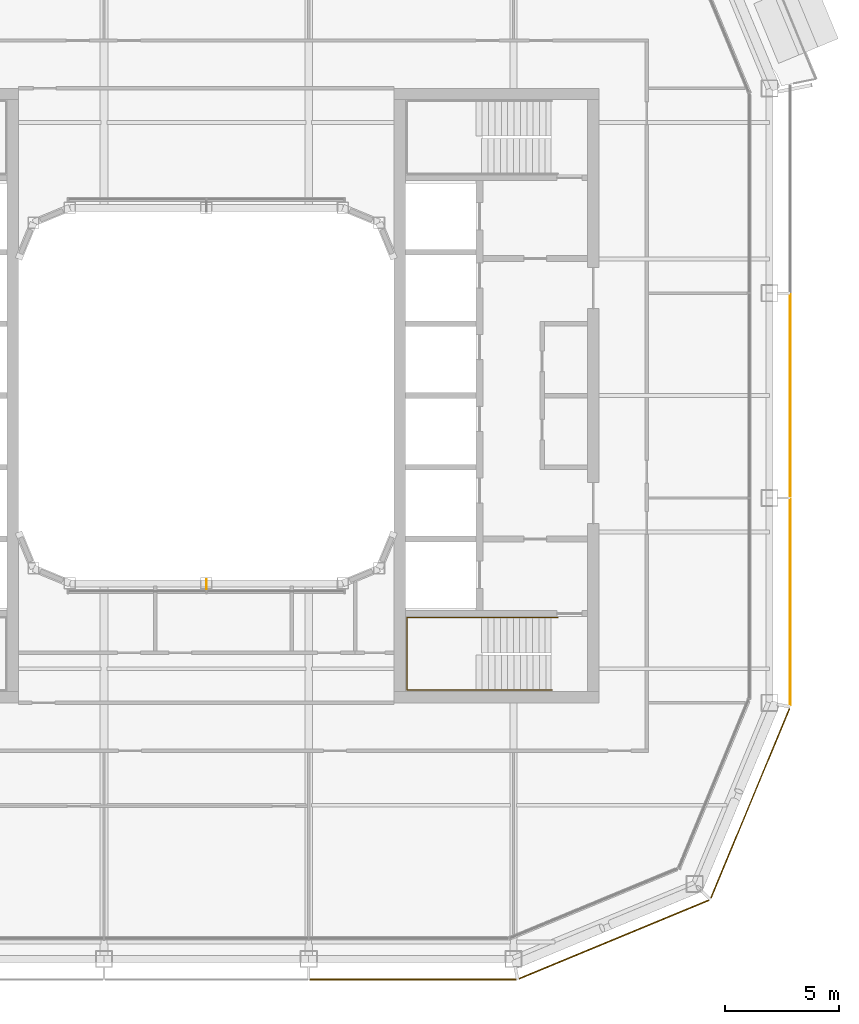
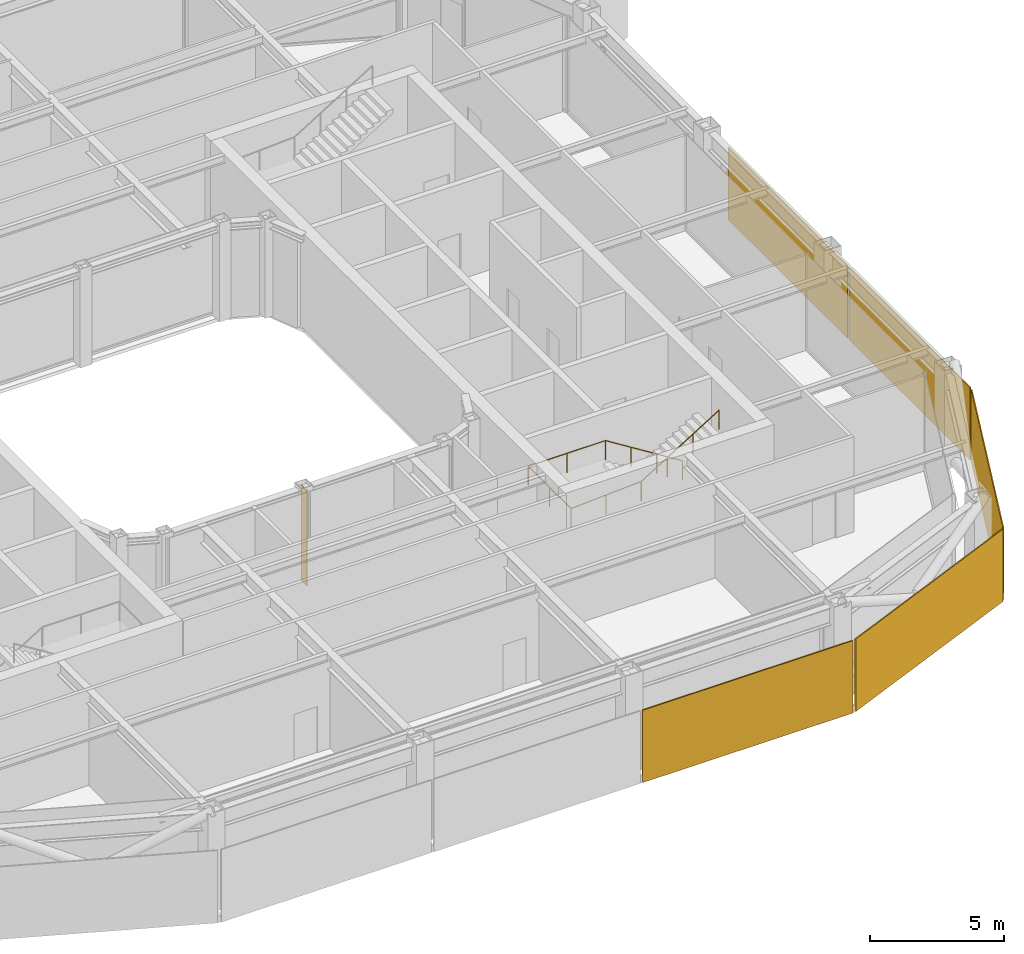
# One storey, part 17 of 20: 5 coverings, 1 railing, 1 shading device.
"""IFC4 building model written with IfcOpenShell, lengths in metres."""

from ifc_helpers import new_model, si_unit, direction, frame, origin, origin_2d, place, context, subcontext, project, spatial, rectangle, circle, extrude, material, layer, layer_set, type_object, element, save


model = new_model("IFC4")

# Units and contexts
model_context = context("Model", 3, precision=1e-05, world=origin(), true_north=direction((0.0, 1.0)))
body_context = subcontext(model_context, "Body", "Model", "MODEL_VIEW")
ifc_project = project(units=[si_unit("LENGTHUNIT", "METRE"), si_unit("AREAUNIT", "SQUARE_METRE"), si_unit("VOLUMEUNIT", "CUBIC_METRE"), si_unit("PLANEANGLEUNIT", "RADIAN"), si_unit("MASSUNIT", "GRAM", prefix="KILO")], contexts=[model_context])

# Site, building, storey
site_placement = place(None, origin())
site = spatial("IfcSite", under=ifc_project, at=site_placement, CompositionType="ELEMENT")
building_placement = place(site_placement, origin())
building = spatial("IfcBuilding", under=site, at=building_placement, Name="Siwar Civic Tower", CompositionType="ELEMENT")
storey_placement = place(building_placement, frame((0.0, 0.0, 307.699951171875)))
storey = spatial("IfcBuildingStorey", under=building, at=storey_placement, Name="L66", CompositionType="ELEMENT", Elevation=307.699951171875)

# Railing
ifc_material_1 = material(Name="Stainless steel", Category="steel")
railing_type = type_object("IfcRailingType", Name="CORE-STAIR-HANDRAIL", PredefinedType="HANDRAIL", material=ifc_material_1)
railing_placement = place(storey_placement, frame((15.449951171875, -9.758056640625, 0.173095703125)))
element("IfcRailing", 1, at=railing_placement, inside=storey, type_object=railing_type, Name="Stair handrail ST4", PredefinedType="HANDRAIL", context=body_context, shape_type="SweptSolid", body=[
    extrude(circle(Radius=0.02001953125, at=origin_2d()), frame((0.0, 0.0, 0.8798828125), z_axis=(-0.847063342986, 0.0, 0.531491950051), x_axis=(0.0, -1.0, 0.0)), (0.0, 0.0, 1.0), 3.90771484375),
    extrude(circle(Radius=0.02001953125, at=origin_2d()), frame((-3.31005859375, 0.0, 2.956787109375), z_axis=(-1.0, 0.0, 0.0), x_axis=(0.0, -1.0, 0.0)), (0.0, 0.0, 1.0), 3.331787109375),
    extrude(circle(Radius=0.02001953125, at=origin_2d()), frame((-6.641845703125, 0.0, 2.956787109375), z_axis=(0.0, -1.0, 0.0), x_axis=(1.0, 0.0, 0.0)), (0.0, 0.0, 1.0), 3.183837890625),
    extrude(circle(Radius=0.02001953125, at=origin_2d()), frame((-6.641845703125, -3.183837890625, 2.956787109375), z_axis=(0.99837434197, 0.0, 0.056997134106), x_axis=(0.0, 1.0, 0.0)), (0.0, 0.0, 1.0), 3.036865234375),
    extrude(circle(Radius=0.02001953125, at=origin_2d()), frame((-3.60986328125, -3.183837890625, 3.1298828125), z_axis=(0.850606129759, 0.0, 0.525803396734), x_axis=(0.0, 1.0, 0.0)), (0.0, 0.0, 1.0), 3.949951171875),
    extrude(circle(Radius=0.02001953125, at=origin_2d()), origin(), (0.0, 0.0, 1.0), 0.85986328125),
    extrude(circle(Radius=0.02001953125, at=origin_2d()), frame((-1.103271484375, 0.0, 0.6923828125)), (0.0, 0.0, 1.0), 0.85986328125),
    extrude(circle(Radius=0.02001953125, at=origin_2d()), frame((-2.206787109375, 0.0, 1.384521484375)), (0.0, 0.0, 1.0), 0.85986328125),
    extrude(circle(Radius=0.02001953125, at=origin_2d()), frame((-3.31005859375, 0.0, 2.076904296875)), (0.0, 0.0, 1.0), 0.85986328125),
    extrude(circle(Radius=0.02001953125, at=origin_2d()), frame((-4.97607421875, 0.0, 2.076904296875)), (0.0, 0.0, 1.0), 0.85986328125),
    extrude(circle(Radius=0.02001953125, at=origin_2d()), frame((-6.641845703125, 0.0, 2.076904296875)), (0.0, 0.0, 1.0), 0.85986328125),
    extrude(circle(Radius=0.02001953125, at=origin_2d()), frame((-6.641845703125, -1.591796875, 2.076904296875)), (0.0, 0.0, 1.0), 0.85986328125),
    extrude(circle(Radius=0.02001953125, at=origin_2d()), frame((-6.641845703125, -3.183837890625, 2.076904296875)), (0.0, 0.0, 1.0), 0.85986328125),
    extrude(circle(Radius=0.02001953125, at=origin_2d()), frame((-5.1259765625, -3.183837890625, 2.16357421875)), (0.0, 0.0, 1.0), 0.85986328125),
    extrude(circle(Radius=0.02001953125, at=origin_2d()), frame((-3.60986328125, -3.183837890625, 2.25)), (0.0, 0.0, 1.0), 0.85986328125),
    extrude(circle(Radius=0.02001953125, at=origin_2d()), frame((-2.489990234375, -3.183837890625, 2.9423828125)), (0.0, 0.0, 1.0), 0.85986328125),
    extrude(circle(Radius=0.02001953125, at=origin_2d()), frame((-1.369873046875, -3.183837890625, 3.634521484375)), (0.0, 0.0, 1.0), 0.85986328125),
    extrude(circle(Radius=0.02001953125, at=origin_2d()), frame((-0.25, -3.183837890625, 4.326904296875)), (0.0, 0.0, 1.0), 0.85986328125),
])

# Shading device
ifc_material_2 = material(Name="Aluminium 6063-T6", Category="aluminium")
ifc_layer_1 = layer(ifc_material_2, 0.02001953125)
ifc_layer_set_1 = layer_set([ifc_layer_1], Name="Aluminium 6063-T6")
shading_device_type = type_object("IfcShadingDeviceType", Name="ENV-FIN", PredefinedType="JALOUSIE", material=ifc_layer_set_1)
shading_device_placement = place(storey_placement, frame((0.0, -8.294921875, 0.0), z_axis=(0.0, 0.0, 1.0), x_axis=(1.0, 0.0, 0.0)))
element("IfcShadingDevice", 2, at=shading_device_placement, inside=storey, type_object=shading_device_type, Name="SUNSHADE fin WS 1", PredefinedType="JALOUSIE", context=body_context, shape_type="SweptSolid", body=[
    extrude(rectangle(XDim=0.02001953125, YDim=0.449951171875, at=origin_2d()), origin(), (0.0, 0.0, 1.0), 4.35009765625),
])

# Coverings
ifc_material_3 = material(Name="Perforated aluminium cassette, pale metal", Category="aluminium")
ifc_layer_2 = layer(ifc_material_3, 0.0400390625)
ifc_layer_set_2 = layer_set([ifc_layer_2], Name="Perforated aluminium cassette, pale metal")
covering_type_1 = type_object("IfcCoveringType", Name="ENV-OUTER SKIN OS-1", PredefinedType="CLADDING", material=ifc_layer_set_2)
covering_1_placement = place(storey_placement, frame((25.64990234375, -9.07958984375, -0.14990234375), z_axis=(0.0, 0.0, 1.0), x_axis=(0.0, 1.0, 0.0)))
element("IfcCovering", 3, at=covering_1_placement, inside=storey, type_object=covering_type_1, Name="OUTER SKIN OS-1 E 1", PredefinedType="CLADDING", context=body_context, shape_type="SweptSolid", body=[
    extrude(rectangle(XDim=9.05908203125, YDim=0.0400390625, at=origin_2d()), origin(), (0.0, 0.0, 1.0), 3.300048828125),
])
covering_2_placement = place(storey_placement, frame((25.64990234375, 0.0, -0.14990234375), z_axis=(0.0, 0.0, 1.0), x_axis=(0.0, 1.0, 0.0)))
element("IfcCovering", 4, at=covering_2_placement, inside=storey, type_object=covering_type_1, Name="OUTER SKIN OS-1 E 2", PredefinedType="CLADDING", context=body_context, shape_type="SweptSolid", body=[
    extrude(rectangle(XDim=8.89990234375, YDim=0.0400390625, at=origin_2d()), origin(), (0.0, 0.0, 1.0), 3.300048828125),
])
ifc_material_4 = material(Name="Perforated aluminium cassette, pale metal", Category="aluminium")
ifc_layer_3 = layer(ifc_material_4, 0.044921875)
ifc_layer_set_3 = layer_set([ifc_layer_3], Name="Perforated aluminium cassette, pale metal")
covering_type_2 = type_object("IfcCoveringType", Name="ENV-OUTER SKIN OS-2", PredefinedType="CLADDING", material=ifc_layer_set_3)
covering_3_placement = place(storey_placement, frame((23.89697265625, -17.911376953125, -0.14990234375), z_axis=(0.0, 0.0, 1.0), x_axis=(0.382683432365, 0.923879532511, 0.0)))
element("IfcCovering", 5, at=covering_3_placement, inside=storey, type_object=covering_type_2, Name="OUTER SKIN OS-2 SE2 1", PredefinedType="CLADDING", context=body_context, shape_type="SweptSolid", body=[
    extrude(rectangle(XDim=9.022216796875, YDim=0.044921875, at=origin_2d()), origin(), (0.0, 0.0, 1.0), 3.300048828125),
])
ifc_material_5 = material(Name="Perforated aluminium cassette, pale metal", Category="aluminium")
ifc_layer_4 = layer(ifc_material_5, 0.050048828125)
ifc_layer_set_4 = layer_set([ifc_layer_4], Name="Perforated aluminium cassette, pale metal")
covering_type_3 = type_object("IfcCoveringType", Name="ENV-OUTER SKIN OS-3", PredefinedType="CLADDING", material=ifc_layer_set_4)
covering_4_placement = place(storey_placement, frame((17.911376953125, -23.89697265625, -0.14990234375), z_axis=(0.0, 0.0, 1.0), x_axis=(0.923879532511, 0.382683432365, 0.0)))
element("IfcCovering", 6, at=covering_4_placement, inside=storey, type_object=covering_type_3, Name="OUTER SKIN OS-3 SE1 1", PredefinedType="CLADDING", context=body_context, shape_type="SweptSolid", body=[
    extrude(rectangle(XDim=9.022216796875, YDim=0.050048828125, at=origin_2d()), origin(), (0.0, 0.0, 1.0), 3.300048828125),
])
ifc_material_6 = material(Name="Perforated aluminium cassette, pale metal", Category="aluminium")
ifc_layer_5 = layer(ifc_material_6, 0.054931640625)
ifc_layer_set_5 = layer_set([ifc_layer_5], Name="Perforated aluminium cassette, pale metal")
covering_type_4 = type_object("IfcCoveringType", Name="ENV-OUTER SKIN OS-4", PredefinedType="CLADDING", material=ifc_layer_set_5)
covering_5_placement = place(storey_placement, frame((9.07958984375, -25.64990234375, -0.14990234375), z_axis=(0.0, 0.0, 1.0), x_axis=(1.0, 0.0, 0.0)))
element("IfcCovering", 7, at=covering_5_placement, inside=storey, type_object=covering_type_4, Name="OUTER SKIN OS-4 S 3", PredefinedType="CLADDING", context=body_context, shape_type="SweptSolid", body=[
    extrude(rectangle(XDim=9.05908203125, YDim=0.054931640625, at=origin_2d()), origin(), (0.0, 0.0, 1.0), 3.300048828125),
])

save(model, "model.ifc")
